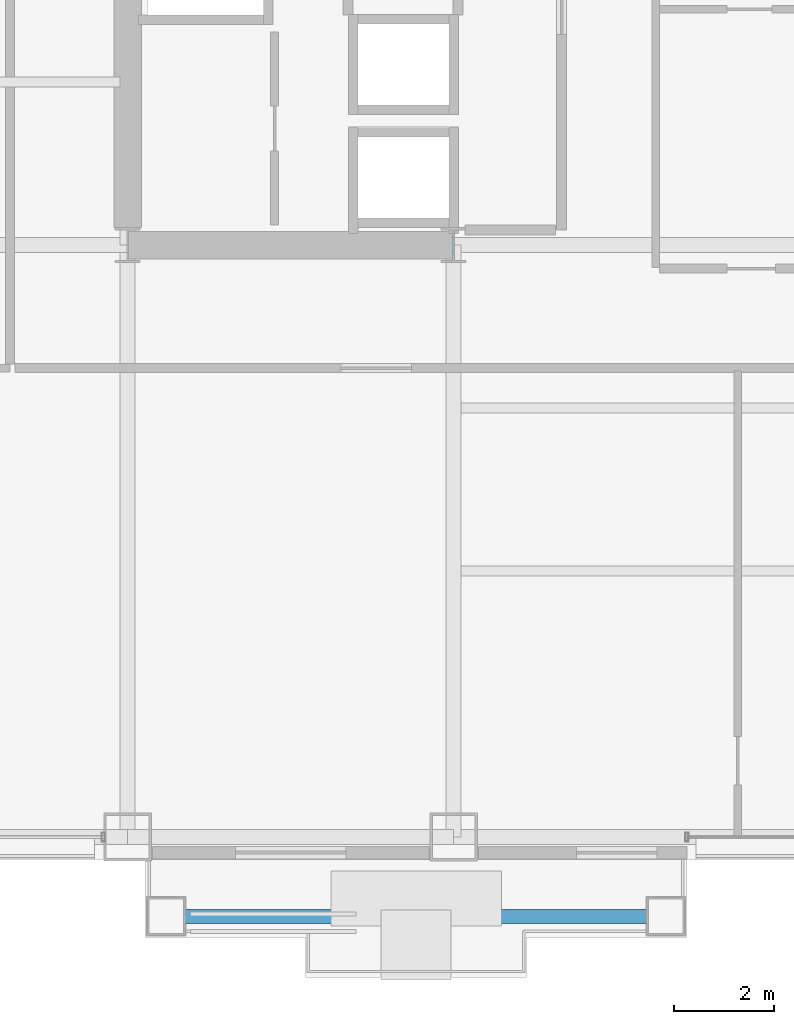
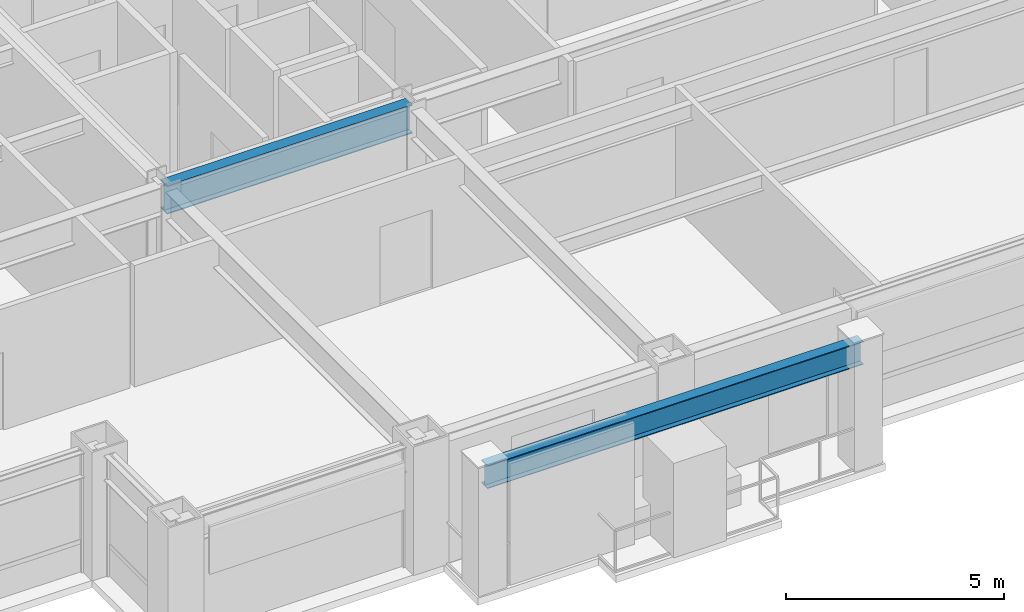
# One storey, part 5 of 31: 2 beams.
"""IFC4 building model written with IfcOpenShell, lengths in metres."""

from ifc_helpers import new_model, si_unit, direction, frame, origin, origin_2d, place, context, subcontext, project, spatial, i_section, extrude, material, material_profile, profile_set, type_object, element, save


model = new_model("IFC4")

# Units and contexts
model_context = context("Model", 3, precision=1e-05, world=origin(), true_north=direction((0.0, 1.0)))
body_context = subcontext(model_context, "Body", "Model", "MODEL_VIEW")
ifc_project = project(units=[si_unit("LENGTHUNIT", "METRE"), si_unit("AREAUNIT", "SQUARE_METRE"), si_unit("VOLUMEUNIT", "CUBIC_METRE"), si_unit("PLANEANGLEUNIT", "RADIAN"), si_unit("MASSUNIT", "GRAM", prefix="KILO")], contexts=[model_context])

# Site, building, storey
site_placement = place(None, origin())
site = spatial("IfcSite", under=ifc_project, at=site_placement, CompositionType="ELEMENT")
building_placement = place(site_placement, origin())
building = spatial("IfcBuilding", under=site, at=building_placement, Name="Brelmoor Portico Tower", CompositionType="ELEMENT")
storey_placement = place(building_placement, frame((0.0, 0.0, 27.60009765625)))
storey = spatial("IfcBuildingStorey", under=building, at=storey_placement, Name="L06", CompositionType="ELEMENT", Elevation=27.60009765625)

# Beams
ifc_material = material(Name="Steel Q355B", Category="steel")
ifc_material_profile_1 = material_profile(ifc_material, i_section(OverallWidth=0.300048828125, OverallDepth=0.800048828125, WebThickness=0.013916015625, FlangeThickness=0.02587890625, at=origin_2d()), Name="HN 800x300x14x26")
ifc_profile_set_1 = profile_set([ifc_material_profile_1], Name="Steel Q355B")
beam_type_1 = type_object("IfcBeamType", Name="BM-PG-800", PredefinedType="BEAM", material=ifc_profile_set_1)
beam_1_placement = place(storey_placement, frame((-14.550048828125, -9.75, 3.0), z_axis=(1.0, 0.0, 0.0), x_axis=(0.0, 1.0, 0.0)))
element("IfcBeam", 1, at=beam_1_placement, inside=storey, type_object=beam_type_1, Name="L06 Primary Floor Girder PG-20", PredefinedType="BEAM", context=body_context, shape_type="SweptSolid", body=[
    extrude(i_section(OverallWidth=0.300048828125, OverallDepth=0.800048828125, WebThickness=0.013916015625, FlangeThickness=0.02587890625, at=origin_2d()), origin(), (0.0, 0.0, 1.0), 6.5),
])
ifc_material_profile_2 = material_profile(ifc_material, i_section(OverallWidth=0.280029296875, OverallDepth=0.64990234375, WebThickness=0.012939453125, FlangeThickness=0.02197265625, at=origin_2d()), Name="HN 650x280x13x22")
ifc_profile_set_2 = profile_set([ifc_material_profile_2], Name="Steel Q355B")
beam_type_2 = type_object("IfcBeamType", Name="BM-SP-650", PredefinedType="SPANDREL", material=ifc_profile_set_2)
beam_2_placement = place(storey_placement, frame((-13.780029296875, -23.1298828125, 3.074951171875), z_axis=(1.0, 0.0, 0.0), x_axis=(0.0, 1.0, 0.0)))
element("IfcBeam", 2, at=beam_2_placement, inside=storey, type_object=beam_type_2, Name="L06 Picture-Frame Perimeter Lintel Beam S1", PredefinedType="SPANDREL", context=body_context, shape_type="SweptSolid", body=[
    extrude(i_section(OverallWidth=0.280029296875, OverallDepth=0.64990234375, WebThickness=0.012939453125, FlangeThickness=0.02197265625, at=origin_2d()), origin(), (0.0, 0.0, 1.0), 9.9599609375),
])

save(model, "model.ifc")
